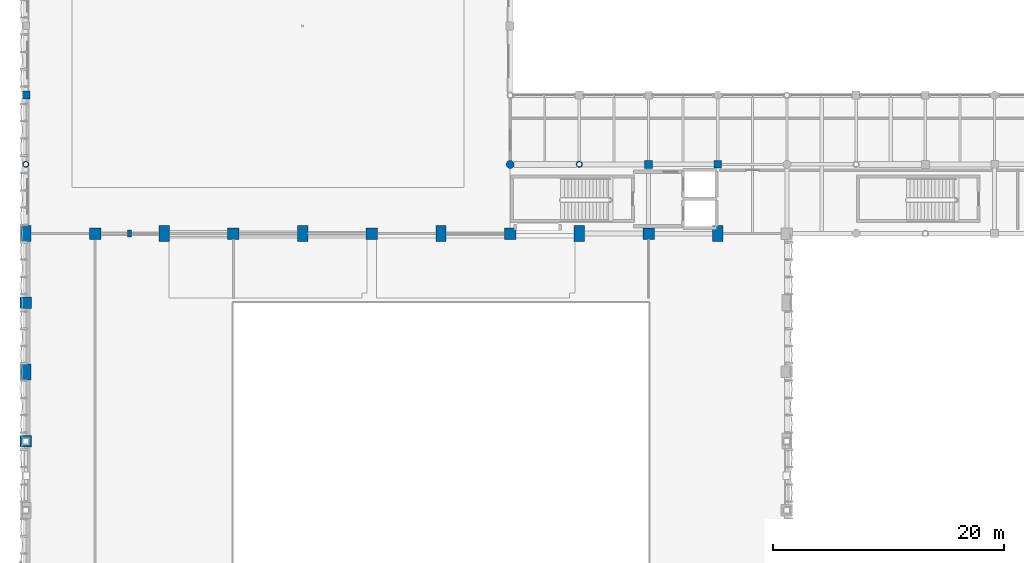
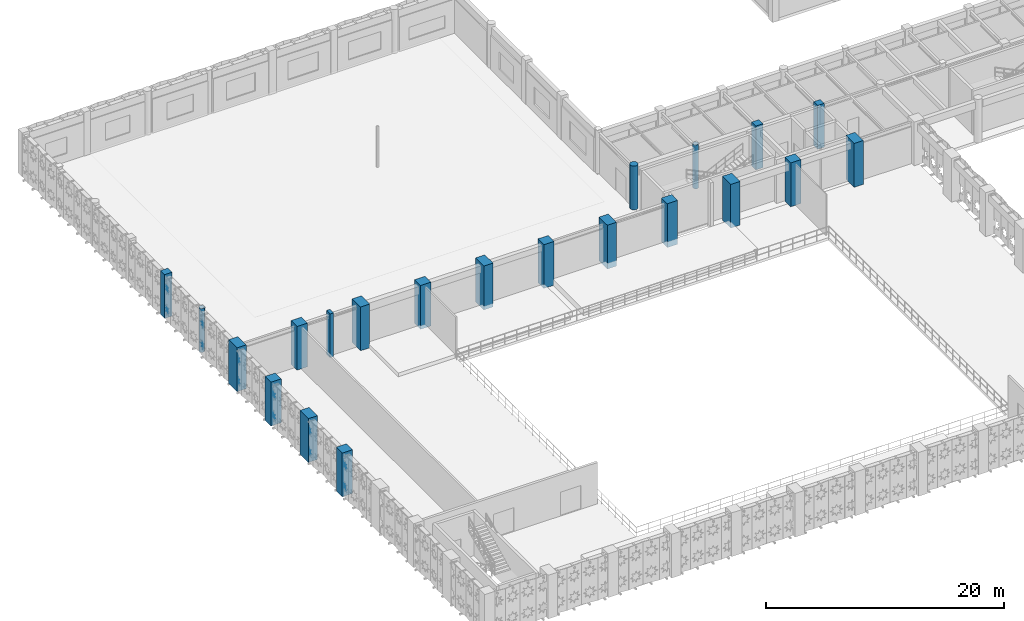
# One storey, part 6 of 116: 21 columns.
"""IFC4 building model written with IfcOpenShell, lengths in metres."""

import ifcopenshell
import ifcopenshell.guid

model = None  # the IFC model being written
_history = None  # IfcOwnerHistory: only IFC2X3 demands one
_inside = {}  # id of a spatial element -> (the spatial element, [elements in it])
_under = {}  # id of a project, library or spatial element -> (it, [spatial elements below it])
_declared = {}  # id of a project -> (the project, [libraries it declares])
_typed = {}  # id of a type object -> (the type object, [elements of that type])
_made_of = {}  # id of a material, layer set ... -> (it, [elements and type objects made of it])


def new_model(schema):
    """Start an empty IFC model of exactly this schema.

    Asked for "IFC4X3", IfcOpenShell would pick the latest addendum, in which some entities
    have other attributes; the version numbers below select the first issue.
    IFC2X3 requires an IfcOwnerHistory on every rooted entity: one is made here for all.
    """
    global model, _history
    if schema == "IFC4X3":
        model = ifcopenshell.file(schema_version=(4, 3, 0, 0))
    else:
        model = ifcopenshell.file(schema=schema)
    _inside.clear()
    _under.clear()
    _declared.clear()
    _typed.clear()
    _made_of.clear()
    _history = None
    if model.schema == "IFC2X3":
        org = make("IfcOrganization", Name="unknown")
        user = make(
            "IfcPersonAndOrganization",
            ThePerson=make("IfcPerson", FamilyName="unknown"),
            TheOrganization=org,
        )
        app = make(
            "IfcApplication",
            ApplicationDeveloper=org,
            Version="unknown",
            ApplicationFullName="unknown",
            ApplicationIdentifier="unknown",
        )
        _history = make(
            "IfcOwnerHistory",
            OwningUser=user,
            OwningApplication=app,
            ChangeAction="ADDED",
            CreationDate=0,
        )
    return model


def make(cls, **values):
    """One entity of the class cls with the attributes given. An attribute that is None is left unset."""
    return model.create_entity(
        cls, **{name: value for name, value in values.items() if value is not None}
    )


def rooted(cls, **values):
    """An entity with a GlobalId (a new one), such as an element, a storey or a relation."""
    return make(cls, GlobalId=ifcopenshell.guid.new(), OwnerHistory=_history, **values)


def si_unit(unit_type, name, prefix=None):
    """IfcSIUnit, for example si_unit("LENGTHUNIT", "METRE", prefix="MILLI")."""
    return make("IfcSIUnit", UnitType=unit_type, Prefix=prefix, Name=name)


def assignment(units):
    """IfcUnitAssignment: the units of a project."""
    return None if units is None else make("IfcUnitAssignment", Units=units)


def point(xyz):
    """IfcCartesianPoint."""
    return None if xyz is None else make("IfcCartesianPoint", Coordinates=xyz)


def direction(xyz):
    """IfcDirection."""
    return None if xyz is None else make("IfcDirection", DirectionRatios=xyz)


def frame(location, z_axis=None, x_axis=None):
    """IfcAxis2Placement3D, a coordinate frame: its origin and axes. An axis left out is left unset."""
    return make(
        "IfcAxis2Placement3D",
        Location=point(location),
        Axis=direction(z_axis),
        RefDirection=direction(x_axis),
    )


def frame_2d(location, x_axis=None):
    """IfcAxis2Placement2D, a coordinate frame in the plane: its origin and x axis."""
    return make(
        "IfcAxis2Placement2D", Location=point(location), RefDirection=direction(x_axis)
    )


def origin():
    """The frame at (0, 0, 0) with its axes left unset."""
    return frame((0.0, 0.0, 0.0))


def origin_2d():
    """The frame at (0, 0) in the plane with its x axis left unset."""
    return frame_2d((0.0, 0.0))


def place(relative_to, where):
    """IfcLocalPlacement: puts the frame where relative to a parent placement (None: the world)."""
    return make(
        "IfcLocalPlacement", PlacementRelTo=relative_to, RelativePlacement=where
    )


def context(
    kind, dimensions, precision=None, world=None, true_north=None, identifier=None
):
    """IfcGeometricRepresentationContext, for example the 3D "Model" context."""
    return make(
        "IfcGeometricRepresentationContext",
        ContextIdentifier=identifier,
        ContextType=kind,
        CoordinateSpaceDimension=dimensions,
        Precision=precision,
        WorldCoordinateSystem=world,
        TrueNorth=true_north,
    )


def subcontext(parent, identifier, kind, view, scale=None):
    """IfcGeometricRepresentationSubContext, for example "Body" below "Model"."""
    return make(
        "IfcGeometricRepresentationSubContext",
        ContextIdentifier=identifier,
        ContextType=kind,
        ParentContext=parent,
        TargetScale=scale,
        TargetView=view,
    )


def project(units=None, contexts=None):
    """IfcProject with its units and contexts."""
    return rooted(
        "IfcProject",
        Name="project",
        RepresentationContexts=contexts,
        UnitsInContext=assignment(units),
    )


def spatial(cls, under=None, at=None, **own):
    """A site, building, storey or space (cls), placed at a placement, below another one or the project."""
    s = rooted(cls, ObjectPlacement=at, **own)
    if under is not None:
        _under.setdefault(under.id(), (under, []))[1].append(s)
    return s


def profile(cls, at=None, kind="AREA", **sizes):
    """A parametric profile (cls). Its sizes go by their IFC names, for example OverallWidth=200.0."""
    return make(cls, ProfileType=kind, Position=at, **sizes)


def rectangle(**sizes):
    """IfcRectangleProfileDef."""
    return profile("IfcRectangleProfileDef", **sizes)


def circle(**sizes):
    """IfcCircleProfileDef."""
    return profile("IfcCircleProfileDef", **sizes)


def hollow_circle(**sizes):
    """IfcCircleHollowProfileDef."""
    return profile("IfcCircleHollowProfileDef", **sizes)


def extrude(swept, where, along, depth):
    """IfcExtrudedAreaSolid: the profile swept, set in the frame where, extruded along a direction by depth."""
    return make(
        "IfcExtrudedAreaSolid",
        SweptArea=swept,
        Position=where,
        ExtrudedDirection=direction(along),
        Depth=depth,
    )


def shape(context_of_items, identifier, shape_type, items):
    """IfcShapeRepresentation: the items that make up one representation, for example the "Body"."""
    return make(
        "IfcShapeRepresentation",
        ContextOfItems=context_of_items,
        RepresentationIdentifier=identifier,
        RepresentationType=shape_type,
        Items=items,
    )


def material(Name=None, Category=None):
    """IfcMaterial."""
    return make("IfcMaterial", Name=Name, Category=Category)


def material_profile(
    of_material, cross_section, Name=None, Category=None, Priority=None
):
    """IfcMaterialProfile: a cross section and its material."""
    return make(
        "IfcMaterialProfile",
        Name=Name,
        Material=of_material,
        Profile=cross_section,
        Priority=Priority,
        Category=Category,
    )


def profile_set(profiles, Name=None, composite=None):
    """IfcMaterialProfileSet."""
    return make(
        "IfcMaterialProfileSet",
        Name=Name,
        MaterialProfiles=profiles,
        CompositeProfile=composite,
    )


def made_of(thing, what):
    """Note that an element or type object is made of a material, layer set ...; save() writes the relation."""
    if what is not None:
        _made_of.setdefault(what.id(), (what, []))[1].append(thing)
    return thing


def type_object(cls, material=None, **own):
    """A type object (cls), such as IfcWallType, which elements share."""
    return made_of(rooted(cls, **own), material)


def element(
    cls,
    number,
    at=None,
    inside=None,
    cuts=None,
    type_object=None,
    material=None,
    context=None,
    identifier="Body",
    shape_type=None,
    held_by="IfcProductDefinitionShape",
    body=None,
    shapes=None,
    **own,
):
    """One element of the class cls, such as IfcWall. Its Tag is "e" and its number.

    at: its placement. inside: the storey or other place that contains it. cuts: it is an
    opening in that element (IfcRelVoidsElement). A single representation is given by context,
    identifier, shape_type and body (its items); several are given by shapes. held_by: the class
    of the entity that holds the representations. save() writes the other relations.
    """
    e = rooted(cls, Tag="e%d" % number, ObjectPlacement=at, **own)
    if body is not None:
        shapes = [shape(context, identifier, shape_type, body)]
    if shapes is not None:
        e.Representation = make(held_by, Representations=shapes)
    if inside is not None:
        _inside.setdefault(inside.id(), (inside, []))[1].append(e)
    if cuts is not None:
        rooted(
            "IfcRelVoidsElement", RelatingBuildingElement=cuts, RelatedOpeningElement=e
        )
    if type_object is not None:
        _typed.setdefault(type_object.id(), (type_object, []))[1].append(e)
    return made_of(e, material)


def aggregate(whole, parts):
    """IfcRelAggregates: a whole, such as a stair, and the parts it consists of."""
    return rooted("IfcRelAggregates", RelatingObject=whole, RelatedObjects=parts)


def save(model, path):
    """Write the relations noted so far, then the file.

    IfcRelAggregates (storeys below a building ...), IfcRelContainedInSpatialStructure (elements
    in a storey), IfcRelDefinesByType, IfcRelAssociatesMaterial and IfcRelDeclares: one each for
    every whole, place, type object, material and project.
    """
    for whole, parts in _under.values():
        aggregate(whole, parts)
    for where, things in _inside.values():
        rooted(
            "IfcRelContainedInSpatialStructure",
            RelatedElements=things,
            RelatingStructure=where,
        )
    for kind, things in _typed.values():
        rooted("IfcRelDefinesByType", RelatedObjects=things, RelatingType=kind)
    for what, things in _made_of.values():
        rooted("IfcRelAssociatesMaterial", RelatedObjects=things, RelatingMaterial=what)
    for by, libraries in _declared.values():
        rooted("IfcRelDeclares", RelatingContext=by, RelatedDefinitions=libraries)
    model.write(path)


model = new_model("IFC4")

# Units and contexts
model_context = context("Model", 3, precision=1e-05, world=origin(), true_north=direction((0.0, 1.0)))
body_context = subcontext(model_context, "Body", "Model", "MODEL_VIEW")
ifc_project = project(units=[si_unit("LENGTHUNIT", "METRE"), si_unit("AREAUNIT", "SQUARE_METRE"), si_unit("VOLUMEUNIT", "CUBIC_METRE"), si_unit("PLANEANGLEUNIT", "RADIAN"), si_unit("MASSUNIT", "GRAM", prefix="KILO"), si_unit("THERMODYNAMICTEMPERATUREUNIT", "KELVIN"), si_unit("POWERUNIT", "WATT")], contexts=[model_context])

# Site, building, storey
site_placement = place(None, origin())
site = spatial("IfcSite", under=ifc_project, at=site_placement, CompositionType="ELEMENT")
building_placement = place(site_placement, origin())
building = spatial("IfcBuilding", under=site, at=building_placement, Name="Phaisarnlok Congress Hotel", CompositionType="ELEMENT")
storey_placement = place(building_placement, frame((0.0, 0.0, 10.5)))
storey = spatial("IfcBuildingStorey", under=building, at=storey_placement, Name="L02", CompositionType="ELEMENT", Elevation=10.5)

# Columns
ifc_material_1 = material(Name="Concrete C50/60", Category="concrete")
ifc_material_profile_1 = material_profile(ifc_material_1, rectangle(XDim=1.0, YDim=1.0, at=origin_2d()), Name="RC 1000x1000")
ifc_profile_set_1 = profile_set([ifc_material_profile_1], Name="Concrete C50/60")
column_type_1 = type_object("IfcColumnType", Name="COL-RC-1000", PredefinedType="COLUMN", material=ifc_profile_set_1)
for number, where, z_axis, x_axis, name in (
    (1, (6.0, 84.0, 0.0), (0.0, 0.0, 1.0), (1.0, 0.0, 0.0), "Column C-09 (L02)"),
    (2, (18.0, 84.0, 0.0), (0.0, 0.0, 1.0), (1.0, 0.0, 0.0), "Column C-09 (L02)"),
    (3, (30.0, 84.0, 0.0), (0.0, 0.0, 1.0), (1.0, 0.0, 0.0), "Column C-09 (L02)"),
    (4, (42.0, 84.0, 0.0), (0.0, 0.0, 1.0), (1.0, 0.0, 0.0), "Column C-09 (L02)"),
    (5, (54.0, 84.0, 0.0), (0.0, 0.0, 1.0), (1.0, 0.0, 0.0), "Column C-09 (L02)"),
):
    element("IfcColumn", number, at=place(storey_placement, frame(where, z_axis=z_axis, x_axis=x_axis)), inside=storey, type_object=column_type_1, Name=name, PredefinedType="COLUMN", context=body_context, shape_type="SweptSolid", body=[
        extrude(rectangle(XDim=1.0, YDim=1.0, at=origin_2d()), origin(), (0.0, 0.0, 1.0), 4.5),
    ])
ifc_material_profile_2 = material_profile(ifc_material_1, rectangle(XDim=1.0, YDim=1.0, at=origin_2d()), Name="RC 1000x1000")
ifc_profile_set_2 = profile_set([ifc_material_profile_2], Name="Concrete C50/60")
column_type_2 = type_object("IfcColumnType", Name="COL-RC-1000-EXT", PredefinedType="COLUMN", material=ifc_profile_set_2)
for number, where, z_axis, x_axis, name in (
    (6, (0.0, 66.0, 0.0), (0.0, 0.0, 1.0), (1.0, 0.0, 0.0), "Column C-09E (L02)"),
    (7, (0.0, 78.0, 0.0), (0.0, 0.0, 1.0), (1.0, 0.0, 0.0), "Column C-09E (L02)"),
):
    element("IfcColumn", number, at=place(storey_placement, frame(where, z_axis=z_axis, x_axis=x_axis)), inside=storey, type_object=column_type_2, Name=name, PredefinedType="COLUMN", context=body_context, shape_type="SweptSolid", body=[
        extrude(rectangle(XDim=1.0, YDim=1.0, at=origin_2d()), origin(), (0.0, 0.0, 1.0), 4.5),
    ])
ifc_material_profile_3 = material_profile(ifc_material_1, rectangle(XDim=0.64990234375, YDim=0.64990234375, at=origin_2d()), Name="RC 650x650")
ifc_profile_set_3 = profile_set([ifc_material_profile_3], Name="Concrete C50/60")
column_type_3 = type_object("IfcColumnType", Name="COL-RC-650", PredefinedType="COLUMN", material=ifc_profile_set_3)
column_1_placement = place(storey_placement, frame((60.0, 90.0, 0.0), z_axis=(0.0, 0.0, 1.0), x_axis=(1.0, 0.0, 0.0)))
element("IfcColumn", 8, at=column_1_placement, inside=storey, type_object=column_type_3, Name="Column C-04 (L02)", PredefinedType="COLUMN", context=body_context, shape_type="SweptSolid", body=[
    extrude(rectangle(XDim=0.64990234375, YDim=0.64990234375, at=origin_2d()), origin(), (0.0, 0.0, 1.0), 4.5),
])
ifc_material_profile_4 = material_profile(ifc_material_1, rectangle(XDim=0.699951171875, YDim=0.699951171875, at=origin_2d()), Name="RC 700x700")
ifc_profile_set_4 = profile_set([ifc_material_profile_4], Name="Concrete C50/60")
column_type_4 = type_object("IfcColumnType", Name="COL-RC-700", PredefinedType="COLUMN", material=ifc_profile_set_4)
column_2_placement = place(storey_placement, frame((54.0, 90.0, 0.0), z_axis=(0.0, 0.0, 1.0), x_axis=(1.0, 0.0, 0.0)))
element("IfcColumn", 9, at=column_2_placement, inside=storey, type_object=column_type_4, Name="Column C-05 (L02)", PredefinedType="COLUMN", context=body_context, shape_type="SweptSolid", body=[
    extrude(rectangle(XDim=0.699951171875, YDim=0.699951171875, at=origin_2d()), origin(), (0.0, 0.0, 1.0), 4.5),
])
ifc_material_profile_5 = material_profile(ifc_material_1, rectangle(XDim=0.699951171875, YDim=0.699951171875, at=origin_2d()), Name="RC 700x700")
ifc_profile_set_5 = profile_set([ifc_material_profile_5], Name="Concrete C50/60")
column_type_5 = type_object("IfcColumnType", Name="COL-RC-700-EXT", PredefinedType="COLUMN", material=ifc_profile_set_5)
column_3_placement = place(storey_placement, frame((0.0, 96.0, 0.0), z_axis=(0.0, 0.0, 1.0), x_axis=(1.0, 0.0, 0.0)))
element("IfcColumn", 10, at=column_3_placement, inside=storey, type_object=column_type_5, Name="Column C-05E (L02)", PredefinedType="COLUMN", context=body_context, shape_type="SweptSolid", body=[
    extrude(rectangle(XDim=0.699951171875, YDim=0.699951171875, at=origin_2d()), origin(), (0.0, 0.0, 1.0), 4.5),
])
ifc_material_profile_6 = material_profile(ifc_material_1, rectangle(XDim=0.89990234375, YDim=1.39990234375, at=origin_2d()), Name="RC 900x1400")
ifc_profile_set_6 = profile_set([ifc_material_profile_6], Name="Concrete C50/60")
column_type_6 = type_object("IfcColumnType", Name="COL-RC-900x1400", PredefinedType="COLUMN", material=ifc_profile_set_6)
for number, where, z_axis, x_axis, name in (
    (11, (12.0, 84.0, 0.0), (0.0, 0.0, 1.0), (1.0, 0.0, 0.0), "Column C-12 (L02)"),
    (12, (24.0, 84.0, 0.0), (0.0, 0.0, 1.0), (1.0, 0.0, 0.0), "Column C-12 (L02)"),
    (13, (36.0, 84.0, 0.0), (0.0, 0.0, 1.0), (1.0, 0.0, 0.0), "Column C-12 (L02)"),
    (14, (48.0, 84.0, 0.0), (0.0, 0.0, 1.0), (1.0, 0.0, 0.0), "Column C-12 (L02)"),
    (15, (60.0, 84.0, 0.0), (0.0, 0.0, 1.0), (1.0, 0.0, 0.0), "Column C-12 (L02)"),
):
    element("IfcColumn", number, at=place(storey_placement, frame(where, z_axis=z_axis, x_axis=x_axis)), inside=storey, type_object=column_type_6, Name=name, PredefinedType="COLUMN", context=body_context, shape_type="SweptSolid", body=[
        extrude(rectangle(XDim=0.89990234375, YDim=1.39990234375, at=origin_2d()), origin(), (0.0, 0.0, 1.0), 4.5),
    ])
ifc_material_profile_7 = material_profile(ifc_material_1, rectangle(XDim=0.89990234375, YDim=1.39990234375, at=origin_2d()), Name="RC 900x1400")
ifc_profile_set_7 = profile_set([ifc_material_profile_7], Name="Concrete C50/60")
column_type_7 = type_object("IfcColumnType", Name="COL-RC-900x1400-EXT", PredefinedType="COLUMN", material=ifc_profile_set_7)
for number, where, z_axis, x_axis, name in (
    (16, (0.0, 72.0, 0.0), (0.0, 0.0, 1.0), (1.0, 0.0, 0.0), "Column C-12E (L02)"),
    (17, (0.0, 84.0, 0.0), (0.0, 0.0, 1.0), (1.0, 0.0, 0.0), "Column C-12E (L02)"),
):
    element("IfcColumn", number, at=place(storey_placement, frame(where, z_axis=z_axis, x_axis=x_axis)), inside=storey, type_object=column_type_7, Name=name, PredefinedType="COLUMN", context=body_context, shape_type="SweptSolid", body=[
        extrude(rectangle(XDim=0.89990234375, YDim=1.39990234375, at=origin_2d()), origin(), (0.0, 0.0, 1.0), 4.5),
    ])
ifc_material_profile_8 = material_profile(ifc_material_1, circle(Radius=0.35009765625, at=origin_2d()), Name="RCC D700")
ifc_profile_set_8 = profile_set([ifc_material_profile_8], Name="Concrete C50/60")
column_type_8 = type_object("IfcColumnType", Name="COL-RCC-700", PredefinedType="COLUMN", material=ifc_profile_set_8)
column_4_placement = place(storey_placement, frame((42.0, 90.0, 0.0), z_axis=(0.0, 0.0, 1.0), x_axis=(1.0, 0.0, 0.0)))
element("IfcColumn", 18, at=column_4_placement, inside=storey, type_object=column_type_8, Name="Column C-13 (L02)", PredefinedType="COLUMN", context=body_context, shape_type="SweptSolid", body=[
    extrude(circle(Radius=0.35009765625, at=origin_2d()), origin(), (0.0, 0.0, 1.0), 4.5),
])
ifc_material_2 = material(Name="Steel S355", Category="steel")
ifc_material_profile_9 = material_profile(ifc_material_2, hollow_circle(Radius=0.25390625, WallThickness=0.02490234375, at=origin_2d()), Name="CHS 508x25")
ifc_profile_set_9 = profile_set([ifc_material_profile_9], Name="Steel S355")
column_type_9 = type_object("IfcColumnType", Name="COL-STL-CHS508", PredefinedType="COLUMN", material=ifc_profile_set_9)
column_5_placement = place(storey_placement, frame((48.0, 90.0, 0.0), z_axis=(0.0, 0.0, 1.0), x_axis=(1.0, 0.0, 0.0)))
element("IfcColumn", 19, at=column_5_placement, inside=storey, type_object=column_type_9, Name="Column SC-03 (L02)", PredefinedType="COLUMN", context=body_context, shape_type="SweptSolid", body=[
    extrude(hollow_circle(Radius=0.25390625, WallThickness=0.02490234375, at=origin_2d()), origin(), (0.0, 0.0, 1.0), 4.5),
])
ifc_material_profile_10 = material_profile(ifc_material_2, hollow_circle(Radius=0.25390625, WallThickness=0.02490234375, at=origin_2d()), Name="CHS 508x25")
ifc_profile_set_10 = profile_set([ifc_material_profile_10], Name="Steel S355")
column_type_10 = type_object("IfcColumnType", Name="COL-STL-CHS508-EXT", PredefinedType="COLUMN", material=ifc_profile_set_10)
column_6_placement = place(storey_placement, frame((0.0, 90.0, 0.0), z_axis=(0.0, 0.0, 1.0), x_axis=(1.0, 0.0, 0.0)))
element("IfcColumn", 20, at=column_6_placement, inside=storey, type_object=column_type_10, Name="Column SC-03E (L02)", PredefinedType="COLUMN", context=body_context, shape_type="SweptSolid", body=[
    extrude(hollow_circle(Radius=0.25390625, WallThickness=0.02490234375, at=origin_2d()), origin(), (0.0, 0.0, 1.0), 4.5),
])
ifc_material_3 = material(Name="Concrete C40/50", Category="concrete")
ifc_material_profile_11 = material_profile(ifc_material_3, rectangle(XDim=0.35009765625, YDim=0.60009765625, at=origin_2d()), Name="RC 350x600")
ifc_profile_set_11 = profile_set([ifc_material_profile_11], Name="Concrete C40/50")
column_type_11 = type_object("IfcColumnType", Name="PIL-RC-350x600", PredefinedType="PILASTER", material=ifc_profile_set_11)
column_7_placement = place(storey_placement, frame((9.0, 84.0, 0.0), z_axis=(0.0, 0.0, 1.0), x_axis=(1.0, 0.0, 0.0)))
element("IfcColumn", 21, at=column_7_placement, inside=storey, type_object=column_type_11, Name="Acoustic wall pilaster PL-C1", PredefinedType="PILASTER", context=body_context, shape_type="SweptSolid", body=[
    extrude(rectangle(XDim=0.35009765625, YDim=0.60009765625, at=origin_2d()), origin(), (0.0, 0.0, 1.0), 4.5),
])

save(model, "model.ifc")
